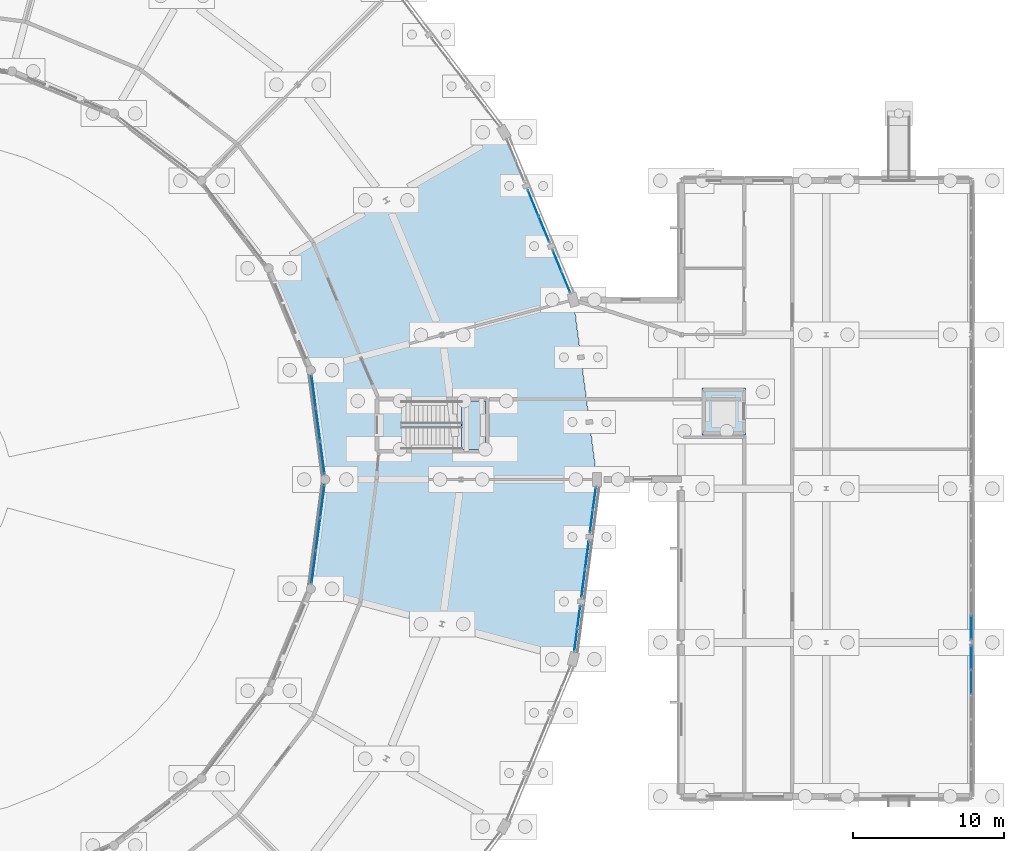
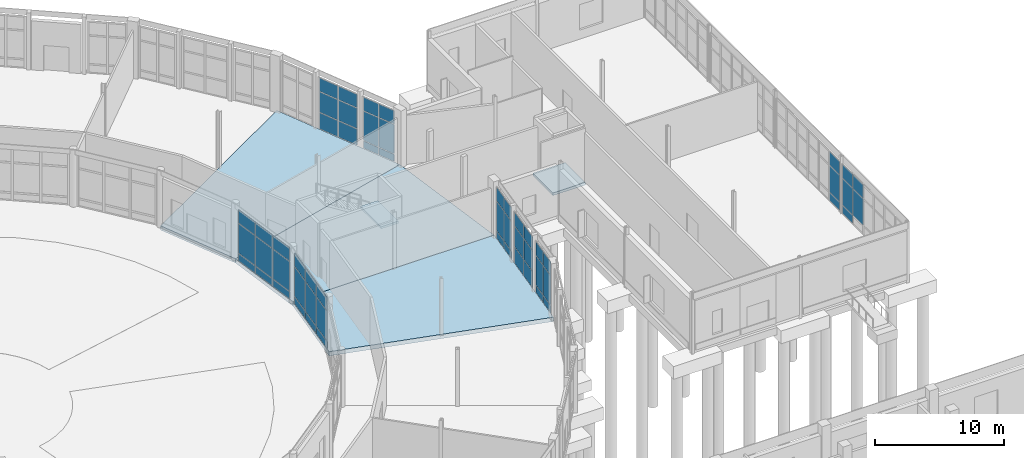
# One storey, part 94 of 137: 56 plates, 5 slabs, 10 elements without a shape of their own.
"""IFC4 building model written with IfcOpenShell, lengths in metres."""

from ifc_helpers import new_model, si_unit, direction, frame, origin, origin_2d, place, context, subcontext, project, spatial, polyline, rectangle, outline, extrude, material, layer, layer_set, type_object, element, aggregate, save


model = new_model("IFC4")

# Units and contexts
model_context = context("Model", 3, precision=1e-05, world=origin(), true_north=direction((0.0, 1.0)))
body_context = subcontext(model_context, "Body", "Model", "MODEL_VIEW")
ifc_project = project(units=[si_unit("LENGTHUNIT", "METRE"), si_unit("AREAUNIT", "SQUARE_METRE"), si_unit("VOLUMEUNIT", "CUBIC_METRE"), si_unit("PLANEANGLEUNIT", "RADIAN"), si_unit("MASSUNIT", "GRAM", prefix="KILO")], contexts=[model_context])

# Site, building, storey
site_placement = place(None, origin())
site = spatial("IfcSite", under=ifc_project, at=site_placement, CompositionType="ELEMENT")
building_placement = place(site_placement, origin())
building = spatial("IfcBuilding", under=site, at=building_placement, Name="Vondelvale Polytechnic", CompositionType="ELEMENT")
storey_placement = place(building_placement, origin())
storey = spatial("IfcBuildingStorey", under=building, at=storey_placement, Name="L00", CompositionType="ELEMENT", Elevation=0.0)

# Curtain wall, plates
ifc_material_1 = material(Name="Anodised extruded aluminium 6063-T6", Category="aluminium")
curtain_wall_type_1 = type_object("IfcCurtainWallType", Name="CW-RING-CLOISTER", PredefinedType="NOTDEFINED", material=ifc_material_1)
curtain_wall_1_placement = place(storey_placement, origin())
curtain_wall_1 = element("IfcCurtainWall", 1, at=curtain_wall_1_placement, inside=storey, type_object=curtain_wall_type_1, Name="L00 architectural curtain wall CW-03-071", PredefinedType="NOTDEFINED")
ifc_material_2 = material(Name="Double-glazed low-E insulated architectural glass", Category="glass")
ifc_layer_1 = layer(ifc_material_2, 0.028076171875)
ifc_layer_set_1 = layer_set([ifc_layer_1], Name="CW-PANEL-GLAZED")
plate_type_1 = type_object("IfcPlateType", Name="CW-PANEL-GLAZED", PredefinedType="CURTAIN_PANEL", material=ifc_layer_set_1)
plate_1_placement = place(storey_placement, frame((129.81005859375, 73.4423828125, 0.78271484375), z_axis=(0.0, 0.0, 1.0), x_axis=(-0.130528007165, 0.99144462243, 0.0)))
plate_1 = element("IfcPlate", 2, at=plate_1_placement, type_object=plate_type_1, Name="CW-03-071 panel 1.2", PredefinedType="CURTAIN_PANEL", context=body_context, shape_type="SweptSolid", body=[
    extrude(rectangle(XDim=2.1123046875, YDim=0.028076171875, at=origin_2d()), origin(), (0.0, 0.0, 1.0), 2.784912109375),
])
plate_2_placement = place(storey_placement, frame((129.81005859375, 73.4423828125, 3.632568359375), z_axis=(0.0, 0.0, 1.0), x_axis=(-0.130528007165, 0.99144462243, 0.0)))
plate_2 = element("IfcPlate", 3, at=plate_2_placement, type_object=plate_type_1, Name="CW-03-071 panel 1.3", PredefinedType="CURTAIN_PANEL", context=body_context, shape_type="SweptSolid", body=[
    extrude(rectangle(XDim=2.1123046875, YDim=0.028076171875, at=origin_2d()), origin(), (0.0, 0.0, 1.0), 1.25244140625),
])
plate_3_placement = place(storey_placement, frame((129.52294921875, 75.62353515625, 0.78271484375), z_axis=(0.0, 0.0, 1.0), x_axis=(-0.130528007165, 0.99144462243, 0.0)))
plate_3 = element("IfcPlate", 4, at=plate_3_placement, type_object=plate_type_1, Name="CW-03-071 panel 2.2", PredefinedType="CURTAIN_PANEL", context=body_context, shape_type="SweptSolid", body=[
    extrude(rectangle(XDim=2.1474609375, YDim=0.028076171875, at=origin_2d()), origin(), (0.0, 0.0, 1.0), 2.784912109375),
])
plate_4_placement = place(storey_placement, frame((129.52294921875, 75.62353515625, 3.632568359375), z_axis=(0.0, 0.0, 1.0), x_axis=(-0.130528007165, 0.99144462243, 0.0)))
plate_4 = element("IfcPlate", 5, at=plate_4_placement, type_object=plate_type_1, Name="CW-03-071 panel 2.3", PredefinedType="CURTAIN_PANEL", context=body_context, shape_type="SweptSolid", body=[
    extrude(rectangle(XDim=2.1474609375, YDim=0.028076171875, at=origin_2d()), origin(), (0.0, 0.0, 1.0), 1.25244140625),
])
plate_5_placement = place(storey_placement, frame((129.23583984375, 77.804443359375, 0.78271484375), z_axis=(0.0, 0.0, 1.0), x_axis=(-0.130528007165, 0.99144462243, 0.0)))
plate_5 = element("IfcPlate", 6, at=plate_5_placement, type_object=plate_type_1, Name="CW-03-071 panel 3.2", PredefinedType="CURTAIN_PANEL", context=body_context, shape_type="SweptSolid", body=[
    extrude(rectangle(XDim=2.1123046875, YDim=0.028076171875, at=origin_2d()), origin(), (0.0, 0.0, 1.0), 2.784912109375),
])
plate_6_placement = place(storey_placement, frame((129.23583984375, 77.804443359375, 3.632568359375), z_axis=(0.0, 0.0, 1.0), x_axis=(-0.130528007165, 0.99144462243, 0.0)))
plate_6 = element("IfcPlate", 7, at=plate_6_placement, type_object=plate_type_1, Name="CW-03-071 panel 3.3", PredefinedType="CURTAIN_PANEL", context=body_context, shape_type="SweptSolid", body=[
    extrude(rectangle(XDim=2.1123046875, YDim=0.028076171875, at=origin_2d()), origin(), (0.0, 0.0, 1.0), 1.25244140625),
])

ifc_material_3 = material(Name="Glulam GL18 structural Tasmanian oak (fb = 42 MPa)", Category="wood")
curtain_wall_type_2 = type_object("IfcCurtainWallType", Name="CW-RING-OUTER", PredefinedType="NOTDEFINED", material=ifc_material_3)
curtain_wall_2_placement = place(storey_placement, origin())
curtain_wall_2 = element("IfcCurtainWall", 8, at=curtain_wall_2_placement, inside=storey, type_object=curtain_wall_type_2, Name="L00 architectural curtain wall CW-04-074", PredefinedType="NOTDEFINED")
plate_7_placement = place(storey_placement, frame((145.9443359375, 85.084716796875, 0.77978515625), z_axis=(0.0, 0.0, 1.0), x_axis=(-0.382679040691, 0.92388135159, 0.0)))
plate_7 = element("IfcPlate", 9, at=plate_7_placement, type_object=plate_type_1, Name="CW-04-074 panel 1.2", PredefinedType="CURTAIN_PANEL", context=body_context, shape_type="SweptSolid", body=[
    extrude(rectangle(XDim=1.454345703125, YDim=0.028076171875, at=origin_2d()), origin(), (0.0, 0.0, 1.0), 2.760009765625),
])
plate_8_placement = place(storey_placement, frame((145.9443359375, 85.084716796875, 3.60009765625), z_axis=(0.0, 0.0, 1.0), x_axis=(-0.382679040691, 0.92388135159, 0.0)))
plate_8 = element("IfcPlate", 10, at=plate_8_placement, type_object=plate_type_1, Name="CW-04-074 panel 1.3", PredefinedType="CURTAIN_PANEL", context=body_context, shape_type="SweptSolid", body=[
    extrude(rectangle(XDim=1.454345703125, YDim=0.028076171875, at=origin_2d()), origin(), (0.0, 0.0, 1.0), 1.260009765625),
])
plate_9_placement = place(storey_placement, frame((145.36279296875, 86.488525390625, 0.77978515625), z_axis=(0.0, 0.0, 1.0), x_axis=(-0.382679040691, 0.92388135159, 0.0)))
plate_9 = element("IfcPlate", 11, at=plate_9_placement, type_object=plate_type_1, Name="CW-04-074 panel 2.2", PredefinedType="CURTAIN_PANEL", context=body_context, shape_type="SweptSolid", body=[
    extrude(rectangle(XDim=1.454345703125, YDim=0.028076171875, at=origin_2d()), origin(), (0.0, 0.0, 1.0), 2.760009765625),
])
plate_10_placement = place(storey_placement, frame((145.36279296875, 86.488525390625, 3.60009765625), z_axis=(0.0, 0.0, 1.0), x_axis=(-0.382679040691, 0.92388135159, 0.0)))
plate_10 = element("IfcPlate", 12, at=plate_10_placement, type_object=plate_type_1, Name="CW-04-074 panel 2.3", PredefinedType="CURTAIN_PANEL", context=body_context, shape_type="SweptSolid", body=[
    extrude(rectangle(XDim=1.454345703125, YDim=0.028076171875, at=origin_2d()), origin(), (0.0, 0.0, 1.0), 1.260009765625),
])

curtain_wall_3_placement = place(storey_placement, origin())
curtain_wall_3 = element("IfcCurtainWall", 13, at=curtain_wall_3_placement, inside=storey, type_object=curtain_wall_type_2, Name="L00 architectural curtain wall CW-04-075", PredefinedType="NOTDEFINED")
plate_11_placement = place(storey_placement, frame((144.493408203125, 88.587158203125, 1.6298828125), z_axis=(0.0, 0.0, 1.0), x_axis=(-0.382694599123, 0.92387490701, 0.0)))
plate_11 = element("IfcPlate", 14, at=plate_11_placement, type_object=plate_type_1, Name="CW-04-075 panel 1.2", PredefinedType="CURTAIN_PANEL", context=body_context, shape_type="SweptSolid", body=[
    extrude(rectangle(XDim=1.80908203125, YDim=0.028076171875, at=origin_2d()), origin(), (0.0, 0.0, 1.0), 1.909912109375),
])
plate_12_placement = place(storey_placement, frame((144.493408203125, 88.587158203125, 3.60009765625), z_axis=(0.0, 0.0, 1.0), x_axis=(-0.382694599123, 0.92387490701, 0.0)))
plate_12 = element("IfcPlate", 15, at=plate_12_placement, type_object=plate_type_1, Name="CW-04-075 panel 1.3", PredefinedType="CURTAIN_PANEL", context=body_context, shape_type="SweptSolid", body=[
    extrude(rectangle(XDim=1.80908203125, YDim=0.028076171875, at=origin_2d()), origin(), (0.0, 0.0, 1.0), 1.260009765625),
])
plate_13_placement = place(storey_placement, frame((143.7763671875, 90.318603515625, 1.6298828125), z_axis=(0.0, 0.0, 1.0), x_axis=(-0.382694599123, 0.92387490701, 0.0)))
plate_13 = element("IfcPlate", 16, at=plate_13_placement, type_object=plate_type_1, Name="CW-04-075 panel 2.2", PredefinedType="CURTAIN_PANEL", context=body_context, shape_type="SweptSolid", body=[
    extrude(rectangle(XDim=1.80908203125, YDim=0.028076171875, at=origin_2d()), origin(), (0.0, 0.0, 1.0), 1.909912109375),
])
plate_14_placement = place(storey_placement, frame((143.7763671875, 90.318603515625, 3.60009765625), z_axis=(0.0, 0.0, 1.0), x_axis=(-0.382694599123, 0.92387490701, 0.0)))
plate_14 = element("IfcPlate", 17, at=plate_14_placement, type_object=plate_type_1, Name="CW-04-075 panel 2.3", PredefinedType="CURTAIN_PANEL", context=body_context, shape_type="SweptSolid", body=[
    extrude(rectangle(XDim=1.80908203125, YDim=0.028076171875, at=origin_2d()), origin(), (0.0, 0.0, 1.0), 1.260009765625),
])

curtain_wall_4_placement = place(storey_placement, origin())
curtain_wall_4 = element("IfcCurtainWall", 18, at=curtain_wall_4_placement, inside=storey, type_object=curtain_wall_type_1, Name="L00 architectural curtain wall CW-03-370", PredefinedType="NOTDEFINED")
plate_15_placement = place(storey_placement, frame((129.23583984375, 66.195556640625, 0.78271484375), z_axis=(0.0, 0.0, 1.0), x_axis=(0.130528007165, 0.99144462243, 0.0)))
plate_15 = element("IfcPlate", 19, at=plate_15_placement, type_object=plate_type_1, Name="CW-03-370 panel 1.2", PredefinedType="CURTAIN_PANEL", context=body_context, shape_type="SweptSolid", body=[
    extrude(rectangle(XDim=2.1123046875, YDim=0.028076171875, at=origin_2d()), origin(), (0.0, 0.0, 1.0), 2.784912109375),
])
plate_16_placement = place(storey_placement, frame((129.23583984375, 66.195556640625, 3.632568359375), z_axis=(0.0, 0.0, 1.0), x_axis=(0.130528007165, 0.99144462243, 0.0)))
plate_16 = element("IfcPlate", 20, at=plate_16_placement, type_object=plate_type_1, Name="CW-03-370 panel 1.3", PredefinedType="CURTAIN_PANEL", context=body_context, shape_type="SweptSolid", body=[
    extrude(rectangle(XDim=2.1123046875, YDim=0.028076171875, at=origin_2d()), origin(), (0.0, 0.0, 1.0), 1.25244140625),
])
plate_17_placement = place(storey_placement, frame((129.52294921875, 68.37646484375, 0.78271484375), z_axis=(0.0, 0.0, 1.0), x_axis=(0.130528007165, 0.99144462243, 0.0)))
plate_17 = element("IfcPlate", 21, at=plate_17_placement, type_object=plate_type_1, Name="CW-03-370 panel 2.2", PredefinedType="CURTAIN_PANEL", context=body_context, shape_type="SweptSolid", body=[
    extrude(rectangle(XDim=2.1474609375, YDim=0.028076171875, at=origin_2d()), origin(), (0.0, 0.0, 1.0), 2.784912109375),
])
plate_18_placement = place(storey_placement, frame((129.52294921875, 68.37646484375, 3.632568359375), z_axis=(0.0, 0.0, 1.0), x_axis=(0.130528007165, 0.99144462243, 0.0)))
plate_18 = element("IfcPlate", 22, at=plate_18_placement, type_object=plate_type_1, Name="CW-03-370 panel 2.3", PredefinedType="CURTAIN_PANEL", context=body_context, shape_type="SweptSolid", body=[
    extrude(rectangle(XDim=2.1474609375, YDim=0.028076171875, at=origin_2d()), origin(), (0.0, 0.0, 1.0), 1.25244140625),
])
plate_19_placement = place(storey_placement, frame((129.81005859375, 70.5576171875, 0.78271484375), z_axis=(0.0, 0.0, 1.0), x_axis=(0.130528007165, 0.99144462243, 0.0)))
plate_19 = element("IfcPlate", 23, at=plate_19_placement, type_object=plate_type_1, Name="CW-03-370 panel 3.2", PredefinedType="CURTAIN_PANEL", context=body_context, shape_type="SweptSolid", body=[
    extrude(rectangle(XDim=2.1123046875, YDim=0.028076171875, at=origin_2d()), origin(), (0.0, 0.0, 1.0), 2.784912109375),
])
plate_20_placement = place(storey_placement, frame((129.81005859375, 70.5576171875, 3.632568359375), z_axis=(0.0, 0.0, 1.0), x_axis=(0.130528007165, 0.99144462243, 0.0)))
plate_20 = element("IfcPlate", 24, at=plate_20_placement, type_object=plate_type_1, Name="CW-03-370 panel 3.3", PredefinedType="CURTAIN_PANEL", context=body_context, shape_type="SweptSolid", body=[
    extrude(rectangle(XDim=2.1123046875, YDim=0.028076171875, at=origin_2d()), origin(), (0.0, 0.0, 1.0), 1.25244140625),
])

curtain_wall_5_placement = place(storey_placement, origin())
curtain_wall_5 = element("IfcCurtainWall", 25, at=curtain_wall_5_placement, inside=storey, type_object=curtain_wall_type_2, Name="L00 architectural curtain wall CW-04-371", PredefinedType="NOTDEFINED")
plate_21_placement = place(storey_placement, frame((146.59912109375, 61.359619140625, 0.77978515625), z_axis=(0.0, 0.0, 1.0), x_axis=(0.130523690099, 0.991445190781, 0.0)))
plate_21 = element("IfcPlate", 26, at=plate_21_placement, type_object=plate_type_1, Name="CW-04-371 panel 1.2", PredefinedType="CURTAIN_PANEL", context=body_context, shape_type="SweptSolid", body=[
    extrude(rectangle(XDim=1.454345703125, YDim=0.028076171875, at=origin_2d()), origin(), (0.0, 0.0, 1.0), 2.760009765625),
])
plate_22_placement = place(storey_placement, frame((146.59912109375, 61.359619140625, 3.60009765625), z_axis=(0.0, 0.0, 1.0), x_axis=(0.130523690099, 0.991445190781, 0.0)))
plate_22 = element("IfcPlate", 27, at=plate_22_placement, type_object=plate_type_1, Name="CW-04-371 panel 1.3", PredefinedType="CURTAIN_PANEL", context=body_context, shape_type="SweptSolid", body=[
    extrude(rectangle(XDim=1.454345703125, YDim=0.028076171875, at=origin_2d()), origin(), (0.0, 0.0, 1.0), 1.260009765625),
])
plate_23_placement = place(storey_placement, frame((146.797607421875, 62.865966796875, 0.77978515625), z_axis=(0.0, 0.0, 1.0), x_axis=(0.130523690099, 0.991445190781, 0.0)))
plate_23 = element("IfcPlate", 28, at=plate_23_placement, type_object=plate_type_1, Name="CW-04-371 panel 2.2", PredefinedType="CURTAIN_PANEL", context=body_context, shape_type="SweptSolid", body=[
    extrude(rectangle(XDim=1.454345703125, YDim=0.028076171875, at=origin_2d()), origin(), (0.0, 0.0, 1.0), 2.760009765625),
])
plate_24_placement = place(storey_placement, frame((146.797607421875, 62.865966796875, 3.60009765625), z_axis=(0.0, 0.0, 1.0), x_axis=(0.130523690099, 0.991445190781, 0.0)))
plate_24 = element("IfcPlate", 29, at=plate_24_placement, type_object=plate_type_1, Name="CW-04-371 panel 2.3", PredefinedType="CURTAIN_PANEL", context=body_context, shape_type="SweptSolid", body=[
    extrude(rectangle(XDim=1.454345703125, YDim=0.028076171875, at=origin_2d()), origin(), (0.0, 0.0, 1.0), 1.260009765625),
])

curtain_wall_6_placement = place(storey_placement, origin())
curtain_wall_6 = element("IfcCurtainWall", 30, at=curtain_wall_6_placement, inside=storey, type_object=curtain_wall_type_2, Name="L00 architectural curtain wall CW-04-372", PredefinedType="NOTDEFINED")
plate_25_placement = place(storey_placement, frame((147.093994140625, 65.1181640625, 1.6298828125), z_axis=(0.0, 0.0, 1.0), x_axis=(0.130497251349, 0.991448671082, 0.0)))
plate_25 = element("IfcPlate", 31, at=plate_25_placement, type_object=plate_type_1, Name="CW-04-372 panel 1.2", PredefinedType="CURTAIN_PANEL", context=body_context, shape_type="SweptSolid", body=[
    extrude(rectangle(XDim=1.80908203125, YDim=0.028076171875, at=origin_2d()), origin(), (0.0, 0.0, 1.0), 1.909912109375),
])
plate_26_placement = place(storey_placement, frame((147.093994140625, 65.1181640625, 3.60009765625), z_axis=(0.0, 0.0, 1.0), x_axis=(0.130497251349, 0.991448671082, 0.0)))
plate_26 = element("IfcPlate", 32, at=plate_26_placement, type_object=plate_type_1, Name="CW-04-372 panel 1.3", PredefinedType="CURTAIN_PANEL", context=body_context, shape_type="SweptSolid", body=[
    extrude(rectangle(XDim=1.80908203125, YDim=0.028076171875, at=origin_2d()), origin(), (0.0, 0.0, 1.0), 1.260009765625),
])
plate_27_placement = place(storey_placement, frame((147.338623046875, 66.97607421875, 1.6298828125), z_axis=(0.0, 0.0, 1.0), x_axis=(0.130497251349, 0.991448671082, 0.0)))
plate_27 = element("IfcPlate", 33, at=plate_27_placement, type_object=plate_type_1, Name="CW-04-372 panel 2.2", PredefinedType="CURTAIN_PANEL", context=body_context, shape_type="SweptSolid", body=[
    extrude(rectangle(XDim=1.80908203125, YDim=0.028076171875, at=origin_2d()), origin(), (0.0, 0.0, 1.0), 1.909912109375),
])
plate_28_placement = place(storey_placement, frame((147.338623046875, 66.97607421875, 3.60009765625), z_axis=(0.0, 0.0, 1.0), x_axis=(0.130497251349, 0.991448671082, 0.0)))
plate_28 = element("IfcPlate", 34, at=plate_28_placement, type_object=plate_type_1, Name="CW-04-372 panel 2.3", PredefinedType="CURTAIN_PANEL", context=body_context, shape_type="SweptSolid", body=[
    extrude(rectangle(XDim=1.80908203125, YDim=0.028076171875, at=origin_2d()), origin(), (0.0, 0.0, 1.0), 1.260009765625),
])

curtain_wall_7_placement = place(storey_placement, origin())
curtain_wall_7 = element("IfcCurtainWall", 35, at=curtain_wall_7_placement, inside=storey, type_object=curtain_wall_type_2, Name="L00 architectural curtain wall CW-04-373", PredefinedType="NOTDEFINED")
plate_29_placement = place(storey_placement, frame((147.635009765625, 69.228271484375, 0.77978515625), z_axis=(0.0, 0.0, 1.0), x_axis=(0.130523690099, 0.991445190781, 0.0)))
plate_29 = element("IfcPlate", 36, at=plate_29_placement, type_object=plate_type_1, Name="CW-04-373 panel 1.2", PredefinedType="CURTAIN_PANEL", context=body_context, shape_type="SweptSolid", body=[
    extrude(rectangle(XDim=1.454345703125, YDim=0.028076171875, at=origin_2d()), origin(), (0.0, 0.0, 1.0), 2.760009765625),
])
plate_30_placement = place(storey_placement, frame((147.635009765625, 69.228271484375, 3.60009765625), z_axis=(0.0, 0.0, 1.0), x_axis=(0.130523690099, 0.991445190781, 0.0)))
plate_30 = element("IfcPlate", 37, at=plate_30_placement, type_object=plate_type_1, Name="CW-04-373 panel 1.3", PredefinedType="CURTAIN_PANEL", context=body_context, shape_type="SweptSolid", body=[
    extrude(rectangle(XDim=1.454345703125, YDim=0.028076171875, at=origin_2d()), origin(), (0.0, 0.0, 1.0), 1.260009765625),
])
plate_31_placement = place(storey_placement, frame((147.83349609375, 70.734619140625, 0.77978515625), z_axis=(0.0, 0.0, 1.0), x_axis=(0.130523690099, 0.991445190781, 0.0)))
plate_31 = element("IfcPlate", 38, at=plate_31_placement, type_object=plate_type_1, Name="CW-04-373 panel 2.2", PredefinedType="CURTAIN_PANEL", context=body_context, shape_type="SweptSolid", body=[
    extrude(rectangle(XDim=1.454345703125, YDim=0.028076171875, at=origin_2d()), origin(), (0.0, 0.0, 1.0), 2.760009765625),
])
plate_32_placement = place(storey_placement, frame((147.83349609375, 70.734619140625, 3.60009765625), z_axis=(0.0, 0.0, 1.0), x_axis=(0.130523690099, 0.991445190781, 0.0)))
plate_32 = element("IfcPlate", 39, at=plate_32_placement, type_object=plate_type_1, Name="CW-04-373 panel 2.3", PredefinedType="CURTAIN_PANEL", context=body_context, shape_type="SweptSolid", body=[
    extrude(rectangle(XDim=1.454345703125, YDim=0.028076171875, at=origin_2d()), origin(), (0.0, 0.0, 1.0), 1.260009765625),
])

curtain_wall_type_3 = type_object("IfcCurtainWallType", Name="CW-REFECTORY", PredefinedType="NOTDEFINED", material=ifc_material_1)
curtain_wall_8_placement = place(storey_placement, origin())
curtain_wall_8 = element("IfcCurtainWall", 40, at=curtain_wall_8_placement, inside=storey, type_object=curtain_wall_type_3, Name="L00 architectural curtain wall CW-05-385", PredefinedType="NOTDEFINED")
plate_33_placement = place(storey_placement, frame((172.800048828125, 58.570068359375, 0.88232421875), z_axis=(0.0, 0.0, 1.0), x_axis=(0.0, 1.0, 0.0)))
plate_33 = element("IfcPlate", 41, at=plate_33_placement, type_object=plate_type_1, Name="CW-05-385 panel 5.2", PredefinedType="CURTAIN_PANEL", context=body_context, shape_type="SweptSolid", body=[
    extrude(rectangle(XDim=1.57666015625, YDim=0.028076171875, at=origin_2d()), origin(), (0.0, 0.0, 1.0), 2.485107421875),
])
plate_34_placement = place(storey_placement, frame((172.800048828125, 58.570068359375, 3.4326171875), z_axis=(0.0, 0.0, 1.0), x_axis=(0.0, 1.0, 0.0)))
plate_34 = element("IfcPlate", 42, at=plate_34_placement, type_object=plate_type_1, Name="CW-05-385 panel 5.3", PredefinedType="CURTAIN_PANEL", context=body_context, shape_type="SweptSolid", body=[
    extrude(rectangle(XDim=1.57666015625, YDim=0.028076171875, at=origin_2d()), origin(), (0.0, 0.0, 1.0), 1.25244140625),
])
plate_35_placement = place(storey_placement, frame((172.800048828125, 60.19921875, 0.88232421875), z_axis=(0.0, 0.0, 1.0), x_axis=(0.0, 1.0, 0.0)))
plate_35 = element("IfcPlate", 43, at=plate_35_placement, type_object=plate_type_1, Name="CW-05-385 panel 6.2", PredefinedType="CURTAIN_PANEL", context=body_context, shape_type="SweptSolid", body=[
    extrude(rectangle(XDim=1.541748046875, YDim=0.028076171875, at=origin_2d()), origin(), (0.0, 0.0, 1.0), 2.485107421875),
])
plate_36_placement = place(storey_placement, frame((172.800048828125, 60.19921875, 3.4326171875), z_axis=(0.0, 0.0, 1.0), x_axis=(0.0, 1.0, 0.0)))
plate_36 = element("IfcPlate", 44, at=plate_36_placement, type_object=plate_type_1, Name="CW-05-385 panel 6.3", PredefinedType="CURTAIN_PANEL", context=body_context, shape_type="SweptSolid", body=[
    extrude(rectangle(XDim=1.541748046875, YDim=0.028076171875, at=origin_2d()), origin(), (0.0, 0.0, 1.0), 1.25244140625),
])

curtain_wall_9_placement = place(storey_placement, origin())
curtain_wall_9 = element("IfcCurtainWall", 45, at=curtain_wall_9_placement, inside=storey, type_object=curtain_wall_type_3, Name="L00 architectural curtain wall CW-05-386", PredefinedType="NOTDEFINED")
plate_37_placement = place(storey_placement, frame((172.800048828125, 62.200927734375, 0.88232421875), z_axis=(0.0, 0.0, 1.0), x_axis=(0.0, 1.0, 0.0)))
plate_37 = element("IfcPlate", 46, at=plate_37_placement, type_object=plate_type_1, Name="CW-05-386 panel 1.2", PredefinedType="CURTAIN_PANEL", context=body_context, shape_type="SweptSolid", body=[
    extrude(rectangle(XDim=1.541748046875, YDim=0.028076171875, at=origin_2d()), origin(), (0.0, 0.0, 1.0), 2.485107421875),
])
plate_38_placement = place(storey_placement, frame((172.800048828125, 62.200927734375, 3.4326171875), z_axis=(0.0, 0.0, 1.0), x_axis=(0.0, 1.0, 0.0)))
plate_38 = element("IfcPlate", 47, at=plate_38_placement, type_object=plate_type_1, Name="CW-05-386 panel 1.3", PredefinedType="CURTAIN_PANEL", context=body_context, shape_type="SweptSolid", body=[
    extrude(rectangle(XDim=1.541748046875, YDim=0.028076171875, at=origin_2d()), origin(), (0.0, 0.0, 1.0), 1.25244140625),
])

# Plate
ifc_material_4 = material(Name="Engineered Tasmanian oak studio and bridge joinery")
ifc_layer_2 = layer(ifc_material_4, 0.0419921875)
ifc_layer_set_2 = layer_set([ifc_layer_2], Name="CW-PANEL-OAK")
plate_type_2 = type_object("IfcPlateType", Name="CW-PANEL-OAK", PredefinedType="CURTAIN_PANEL", material=ifc_layer_set_2)
plate_39_placement = place(storey_placement, frame((129.81005859375, 73.4423828125, 0.06494140625), z_axis=(0.0, 0.0, 1.0), x_axis=(-0.130528007165, 0.99144462243, 0.0)))
plate_39 = element("IfcPlate", 48, at=plate_39_placement, type_object=plate_type_2, Name="CW-03-071 panel 1.1", PredefinedType="CURTAIN_PANEL", context=body_context, shape_type="SweptSolid", body=[
    extrude(rectangle(XDim=2.1123046875, YDim=0.0419921875, at=origin_2d()), origin(), (0.0, 0.0, 1.0), 0.652587890625),
])

plate_40_placement = place(storey_placement, frame((129.52294921875, 75.62353515625, 0.06494140625), z_axis=(0.0, 0.0, 1.0), x_axis=(-0.130528007165, 0.99144462243, 0.0)))
plate_40 = element("IfcPlate", 49, at=plate_40_placement, type_object=plate_type_2, Name="CW-03-071 panel 2.1", PredefinedType="CURTAIN_PANEL", context=body_context, shape_type="SweptSolid", body=[
    extrude(rectangle(XDim=2.1474609375, YDim=0.0419921875, at=origin_2d()), origin(), (0.0, 0.0, 1.0), 0.652587890625),
])

plate_41_placement = place(storey_placement, frame((129.23583984375, 77.804443359375, 0.06494140625), z_axis=(0.0, 0.0, 1.0), x_axis=(-0.130528007165, 0.99144462243, 0.0)))
plate_41 = element("IfcPlate", 50, at=plate_41_placement, type_object=plate_type_2, Name="CW-03-071 panel 3.1", PredefinedType="CURTAIN_PANEL", context=body_context, shape_type="SweptSolid", body=[
    extrude(rectangle(XDim=2.1123046875, YDim=0.0419921875, at=origin_2d()), origin(), (0.0, 0.0, 1.0), 0.652587890625),
])

aggregate(curtain_wall_1, [plate_39, plate_1, plate_2, plate_40, plate_3, plate_4, plate_41, plate_5, plate_6])

plate_42_placement = place(storey_placement, frame((144.493408203125, 88.587158203125, 0.06005859375), z_axis=(0.0, 0.0, 1.0), x_axis=(-0.382694599123, 0.92387490701, 0.0)))
plate_42 = element("IfcPlate", 51, at=plate_42_placement, type_object=plate_type_2, Name="CW-04-075 panel 1.1", PredefinedType="CURTAIN_PANEL", context=body_context, shape_type="SweptSolid", body=[
    extrude(rectangle(XDim=1.80908203125, YDim=0.0419921875, at=origin_2d()), origin(), (0.0, 0.0, 1.0), 1.510009765625),
])

plate_43_placement = place(storey_placement, frame((143.7763671875, 90.318603515625, 0.06005859375), z_axis=(0.0, 0.0, 1.0), x_axis=(-0.382694599123, 0.92387490701, 0.0)))
plate_43 = element("IfcPlate", 52, at=plate_43_placement, type_object=plate_type_2, Name="CW-04-075 panel 2.1", PredefinedType="CURTAIN_PANEL", context=body_context, shape_type="SweptSolid", body=[
    extrude(rectangle(XDim=1.80908203125, YDim=0.0419921875, at=origin_2d()), origin(), (0.0, 0.0, 1.0), 1.510009765625),
])

aggregate(curtain_wall_3, [plate_42, plate_11, plate_12, plate_43, plate_13, plate_14])

plate_44_placement = place(storey_placement, frame((129.23583984375, 66.195556640625, 0.06494140625), z_axis=(0.0, 0.0, 1.0), x_axis=(0.130528007165, 0.99144462243, 0.0)))
plate_44 = element("IfcPlate", 53, at=plate_44_placement, type_object=plate_type_2, Name="CW-03-370 panel 1.1", PredefinedType="CURTAIN_PANEL", context=body_context, shape_type="SweptSolid", body=[
    extrude(rectangle(XDim=2.1123046875, YDim=0.0419921875, at=origin_2d()), origin(), (0.0, 0.0, 1.0), 0.652587890625),
])

plate_45_placement = place(storey_placement, frame((129.52294921875, 68.37646484375, 0.06494140625), z_axis=(0.0, 0.0, 1.0), x_axis=(0.130528007165, 0.99144462243, 0.0)))
plate_45 = element("IfcPlate", 54, at=plate_45_placement, type_object=plate_type_2, Name="CW-03-370 panel 2.1", PredefinedType="CURTAIN_PANEL", context=body_context, shape_type="SweptSolid", body=[
    extrude(rectangle(XDim=2.1474609375, YDim=0.0419921875, at=origin_2d()), origin(), (0.0, 0.0, 1.0), 0.652587890625),
])

plate_46_placement = place(storey_placement, frame((129.81005859375, 70.5576171875, 0.06494140625), z_axis=(0.0, 0.0, 1.0), x_axis=(0.130528007165, 0.99144462243, 0.0)))
plate_46 = element("IfcPlate", 55, at=plate_46_placement, type_object=plate_type_2, Name="CW-03-370 panel 3.1", PredefinedType="CURTAIN_PANEL", context=body_context, shape_type="SweptSolid", body=[
    extrude(rectangle(XDim=2.1123046875, YDim=0.0419921875, at=origin_2d()), origin(), (0.0, 0.0, 1.0), 0.652587890625),
])

aggregate(curtain_wall_4, [plate_44, plate_15, plate_16, plate_45, plate_17, plate_18, plate_46, plate_19, plate_20])

plate_47_placement = place(storey_placement, frame((147.093994140625, 65.1181640625, 0.06005859375), z_axis=(0.0, 0.0, 1.0), x_axis=(0.130497251349, 0.991448671082, 0.0)))
plate_47 = element("IfcPlate", 56, at=plate_47_placement, type_object=plate_type_2, Name="CW-04-372 panel 1.1", PredefinedType="CURTAIN_PANEL", context=body_context, shape_type="SweptSolid", body=[
    extrude(rectangle(XDim=1.80908203125, YDim=0.0419921875, at=origin_2d()), origin(), (0.0, 0.0, 1.0), 1.510009765625),
])

plate_48_placement = place(storey_placement, frame((147.338623046875, 66.97607421875, 0.06005859375), z_axis=(0.0, 0.0, 1.0), x_axis=(0.130497251349, 0.991448671082, 0.0)))
plate_48 = element("IfcPlate", 57, at=plate_48_placement, type_object=plate_type_2, Name="CW-04-372 panel 2.1", PredefinedType="CURTAIN_PANEL", context=body_context, shape_type="SweptSolid", body=[
    extrude(rectangle(XDim=1.80908203125, YDim=0.0419921875, at=origin_2d()), origin(), (0.0, 0.0, 1.0), 1.510009765625),
])

aggregate(curtain_wall_6, [plate_47, plate_25, plate_26, plate_48, plate_27, plate_28])

ifc_material_5 = material(Name="Kiln-fired architectural terracotta", Category="masonry")
ifc_layer_3 = layer(ifc_material_5, 0.035888671875)
ifc_layer_set_3 = layer_set([ifc_layer_3], Name="CW-PANEL-SPANDREL")
plate_type_3 = type_object("IfcPlateType", Name="CW-PANEL-SPANDREL", PredefinedType="CURTAIN_PANEL", material=ifc_layer_set_3)
plate_49_placement = place(storey_placement, frame((145.9443359375, 85.084716796875, 0.06005859375), z_axis=(0.0, 0.0, 1.0), x_axis=(-0.382679040691, 0.92388135159, 0.0)))
plate_49 = element("IfcPlate", 58, at=plate_49_placement, type_object=plate_type_3, Name="CW-04-074 panel 1.1", PredefinedType="CURTAIN_PANEL", context=body_context, shape_type="SweptSolid", body=[
    extrude(rectangle(XDim=1.454345703125, YDim=0.035888671875, at=origin_2d()), origin(), (0.0, 0.0, 1.0), 0.659912109375),
])

plate_50_placement = place(storey_placement, frame((145.36279296875, 86.488525390625, 0.06005859375), z_axis=(0.0, 0.0, 1.0), x_axis=(-0.382679040691, 0.92388135159, 0.0)))
plate_50 = element("IfcPlate", 59, at=plate_50_placement, type_object=plate_type_3, Name="CW-04-074 panel 2.1", PredefinedType="CURTAIN_PANEL", context=body_context, shape_type="SweptSolid", body=[
    extrude(rectangle(XDim=1.454345703125, YDim=0.035888671875, at=origin_2d()), origin(), (0.0, 0.0, 1.0), 0.659912109375),
])

aggregate(curtain_wall_2, [plate_49, plate_7, plate_8, plate_50, plate_9, plate_10])

plate_51_placement = place(storey_placement, frame((146.59912109375, 61.359619140625, 0.06005859375), z_axis=(0.0, 0.0, 1.0), x_axis=(0.130523690099, 0.991445190781, 0.0)))
plate_51 = element("IfcPlate", 60, at=plate_51_placement, type_object=plate_type_3, Name="CW-04-371 panel 1.1", PredefinedType="CURTAIN_PANEL", context=body_context, shape_type="SweptSolid", body=[
    extrude(rectangle(XDim=1.454345703125, YDim=0.035888671875, at=origin_2d()), origin(), (0.0, 0.0, 1.0), 0.659912109375),
])

plate_52_placement = place(storey_placement, frame((146.797607421875, 62.865966796875, 0.06005859375), z_axis=(0.0, 0.0, 1.0), x_axis=(0.130523690099, 0.991445190781, 0.0)))
plate_52 = element("IfcPlate", 61, at=plate_52_placement, type_object=plate_type_3, Name="CW-04-371 panel 2.1", PredefinedType="CURTAIN_PANEL", context=body_context, shape_type="SweptSolid", body=[
    extrude(rectangle(XDim=1.454345703125, YDim=0.035888671875, at=origin_2d()), origin(), (0.0, 0.0, 1.0), 0.659912109375),
])

aggregate(curtain_wall_5, [plate_51, plate_21, plate_22, plate_52, plate_23, plate_24])

plate_53_placement = place(storey_placement, frame((147.635009765625, 69.228271484375, 0.06005859375), z_axis=(0.0, 0.0, 1.0), x_axis=(0.130523690099, 0.991445190781, 0.0)))
plate_53 = element("IfcPlate", 62, at=plate_53_placement, type_object=plate_type_3, Name="CW-04-373 panel 1.1", PredefinedType="CURTAIN_PANEL", context=body_context, shape_type="SweptSolid", body=[
    extrude(rectangle(XDim=1.454345703125, YDim=0.035888671875, at=origin_2d()), origin(), (0.0, 0.0, 1.0), 0.659912109375),
])

plate_54_placement = place(storey_placement, frame((147.83349609375, 70.734619140625, 0.06005859375), z_axis=(0.0, 0.0, 1.0), x_axis=(0.130523690099, 0.991445190781, 0.0)))
plate_54 = element("IfcPlate", 63, at=plate_54_placement, type_object=plate_type_3, Name="CW-04-373 panel 2.1", PredefinedType="CURTAIN_PANEL", context=body_context, shape_type="SweptSolid", body=[
    extrude(rectangle(XDim=1.454345703125, YDim=0.035888671875, at=origin_2d()), origin(), (0.0, 0.0, 1.0), 0.659912109375),
])

aggregate(curtain_wall_7, [plate_53, plate_29, plate_30, plate_54, plate_31, plate_32])

plate_55_placement = place(storey_placement, frame((172.800048828125, 60.19921875, 0.06494140625), z_axis=(0.0, 0.0, 1.0), x_axis=(0.0, 1.0, 0.0)))
plate_55 = element("IfcPlate", 64, at=plate_55_placement, type_object=plate_type_3, Name="CW-05-385 panel 6.1", PredefinedType="CURTAIN_PANEL", context=body_context, shape_type="SweptSolid", body=[
    extrude(rectangle(XDim=1.541748046875, YDim=0.035888671875, at=origin_2d()), origin(), (0.0, 0.0, 1.0), 0.75244140625),
])

aggregate(curtain_wall_8, [plate_33, plate_34, plate_55, plate_35, plate_36])

plate_56_placement = place(storey_placement, frame((172.800048828125, 62.200927734375, 0.06494140625), z_axis=(0.0, 0.0, 1.0), x_axis=(0.0, 1.0, 0.0)))
plate_56 = element("IfcPlate", 65, at=plate_56_placement, type_object=plate_type_3, Name="CW-05-386 panel 1.1", PredefinedType="CURTAIN_PANEL", context=body_context, shape_type="SweptSolid", body=[
    extrude(rectangle(XDim=1.541748046875, YDim=0.035888671875, at=origin_2d()), origin(), (0.0, 0.0, 1.0), 0.75244140625),
])

aggregate(curtain_wall_9, [plate_56, plate_37, plate_38])

# Slabs
ifc_material_6 = material(Name="Concrete N40 (f'c = 40 MPa)", Category="concrete")
ifc_layer_4 = layer(ifc_material_6, 0.39990234375)
ifc_layer_set_4 = layer_set([ifc_layer_4], Name="SLB-BASE-400")
slab_type_1 = type_object("IfcSlabType", Name="SLB-BASE-400", PredefinedType="BASESLAB", material=ifc_layer_set_4)
slab_1_placement = place(storey_placement, frame((0.0, 0.0, -0.39990234375)))
element("IfcSlab", 66, at=slab_1_placement, inside=storey, type_object=slab_type_1, Name="L00 circular ring sector 00 floor slab", PredefinedType="BASESLAB", context=body_context, shape_type="SweptSolid", body=[
    extrude(outline(polyline([(130.0, 72.0), (148.0, 72.0), (146.4326171875, 83.90576171875), (129.0458984375, 79.246826171875), (130.0, 72.0)])), origin(), (0.0, 0.0, 1.0), 0.39990234375),
])
slab_2_placement = place(storey_placement, frame((0.0, 0.0, -0.39990234375)))
element("IfcSlab", 67, at=slab_2_placement, inside=storey, type_object=slab_type_1, Name="L00 circular ring sector 01 floor slab", PredefinedType="BASESLAB", context=body_context, shape_type="SweptSolid", body=[
    extrude(outline(polyline([(129.0458984375, 79.246826171875), (146.4326171875, 83.90576171875), (141.837158203125, 95.0), (126.248779296875, 86.0), (129.0458984375, 79.246826171875)])), origin(), (0.0, 0.0, 1.0), 0.39990234375),
])
slab_3_placement = place(storey_placement, frame((0.0, 0.0, -0.39990234375)))
element("IfcSlab", 68, at=slab_3_placement, inside=storey, type_object=slab_type_1, Name="L00 circular ring sector 23 floor slab", PredefinedType="BASESLAB", context=body_context, shape_type="SweptSolid", body=[
    extrude(outline(polyline([(129.0458984375, 64.753173828125), (146.4326171875, 60.09423828125), (148.0, 72.0), (130.0, 72.0), (129.0458984375, 64.753173828125)])), origin(), (0.0, 0.0, 1.0), 0.39990234375),
])

# Stair, slab
stair_type = type_object("IfcStairType", Name="STR-DOG-1500", PredefinedType="HALF_TURN_STAIR", material=ifc_material_6)
stair_placement = place(storey_placement, origin())
stair = element("IfcStair", 69, at=stair_placement, inside=storey, type_object=stair_type, Name="L00 ST-08", PredefinedType="HALF_TURN_STAIR")
ifc_layer_5 = layer(ifc_material_6, 0.199951171875)
ifc_layer_set_5 = layer_set([ifc_layer_5], Name="SLB-LANDING-200")
slab_type_2 = type_object("IfcSlabType", Name="SLB-LANDING-200", PredefinedType="LANDING", material=ifc_layer_set_5)
slab_4_placement = place(storey_placement, frame((0.0, 0.0, 2.5)))
slab_4 = element("IfcSlab", 70, at=slab_4_placement, type_object=slab_type_2, Name="ST-08 landing 1", PredefinedType="LANDING", context=body_context, shape_type="SweptSolid", body=[
    extrude(outline(polyline([(139.0400390625, 74.0), (140.60009765625, 74.0), (140.60009765625, 77.199951171875), (139.0400390625, 77.199951171875), (139.0400390625, 74.0)])), origin(), (0.0, 0.0, 1.0), 0.199951171875),
])
aggregate(stair, [slab_4])

# Slab
ifc_layer_6 = layer(ifc_material_6, 0.25)
ifc_layer_set_6 = layer_set([ifc_layer_6], Name="SLB-LPIT-250")
slab_type_3 = type_object("IfcSlabType", Name="SLB-LPIT-250", PredefinedType="BASESLAB", material=ifc_layer_set_6)
slab_5_placement = place(storey_placement, frame((0.0, 0.0, -0.5)))
element("IfcSlab", 71, at=slab_5_placement, inside=storey, type_object=slab_type_3, Name="PL-04 lift pit base slab", PredefinedType="BASESLAB", context=body_context, shape_type="SweptSolid", body=[
    extrude(outline(polyline([(154.949951171875, 74.949951171875), (157.85009765625, 74.949951171875), (157.85009765625, 78.050048828125), (154.949951171875, 78.050048828125), (154.949951171875, 74.949951171875)])), origin(), (0.0, 0.0, 1.0), 0.25),
])

save(model, "model.ifc")
